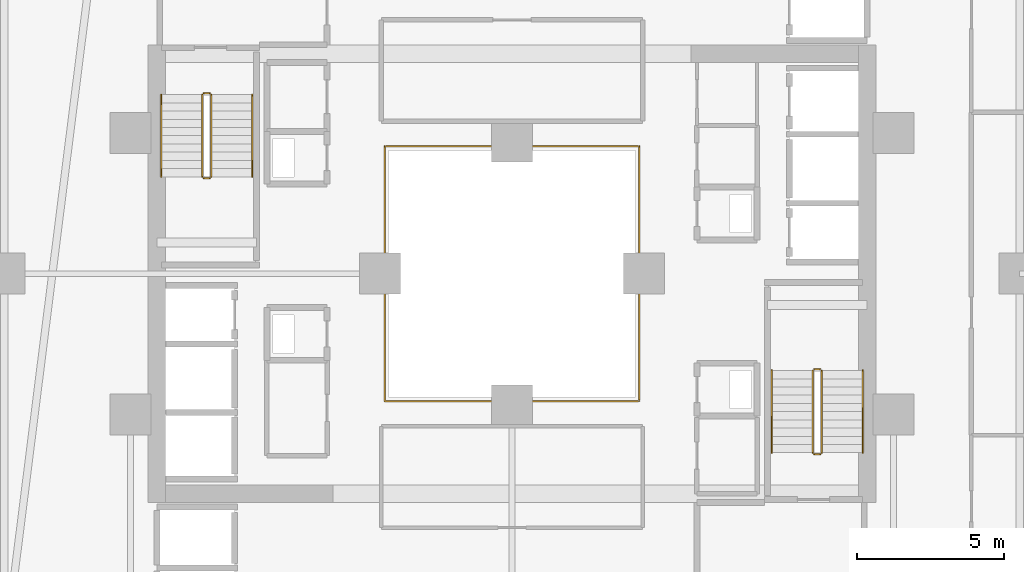
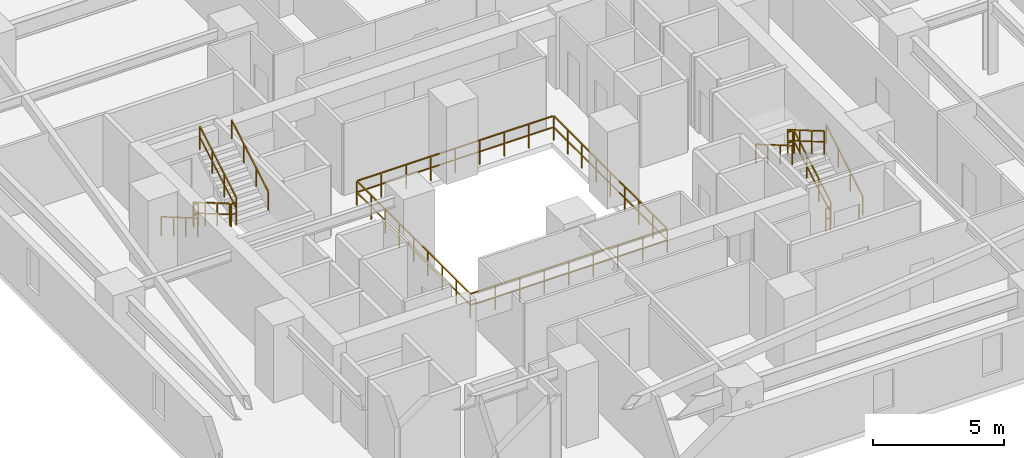
# One storey, part 34 of 35: 13 railings.
"""IFC4 building model written with IfcOpenShell, lengths in metres."""

from ifc_helpers import new_model, si_unit, direction, frame, origin, origin_2d, place, context, subcontext, project, spatial, rectangle, extrude, material, type_object, element, save


model = new_model("IFC4")

# Units and contexts
model_context = context("Model", 3, precision=1e-05, world=origin(), true_north=direction((0.0, 1.0)))
body_context = subcontext(model_context, "Body", "Model", "MODEL_VIEW")
ifc_project = project(units=[si_unit("LENGTHUNIT", "METRE"), si_unit("AREAUNIT", "SQUARE_METRE"), si_unit("VOLUMEUNIT", "CUBIC_METRE"), si_unit("PLANEANGLEUNIT", "RADIAN"), si_unit("MASSUNIT", "GRAM", prefix="KILO")], contexts=[model_context])

# Site, building, storey
site_placement = place(None, origin())
site = spatial("IfcSite", under=ifc_project, at=site_placement, CompositionType="ELEMENT")
building_placement = place(site_placement, origin())
building = spatial("IfcBuilding", under=site, at=building_placement, Name="Thornwick Lancets Civic Towers", CompositionType="ELEMENT")
storey_placement = place(building_placement, frame((0.0, 0.0, 64.5)))
storey = spatial("IfcBuildingStorey", under=building, at=storey_placement, Name="L16", CompositionType="ELEMENT", Elevation=64.5)

# Railings
ifc_material_1 = material(Name="Laminated glass and bronze steel S355", Category="steel")
railing_type_1 = type_object("IfcRailingType", Name="RAIL_ATRIUM_GUARD", PredefinedType="BALUSTRADE", material=ifc_material_1)
railing_1_placement = place(storey_placement, frame((84.159912109375, 22.659912109375, 0.0)))
element("IfcRailing", 1, at=railing_1_placement, inside=storey, type_object=railing_type_1, Name="L16 Tower B Central Atrium Guard Balustrade", PredefinedType="BALUSTRADE", context=body_context, shape_type="SweptSolid", body=[
    extrude(rectangle(XDim=0.048095703125, YDim=0.048095703125, at=origin_2d()), frame((0.0, 0.0, 1.1259765625), z_axis=(1.0, 0.0, 0.0), x_axis=(0.0, 1.0, 0.0)), (0.0, 0.0, 1.0), 8.64892578125),
    extrude(rectangle(XDim=0.0419921875, YDim=0.0419921875, at=origin_2d()), frame((0.03759765625, 0.0, 0.597900390625), z_axis=(1.0, 0.0, 0.0), x_axis=(0.0, 1.0, 0.0)), (0.0, 0.0, 1.0), 1.010009765625),
    extrude(rectangle(XDim=0.0419921875, YDim=0.0419921875, at=origin_2d()), frame((1.12255859375, 0.0, 0.597900390625), z_axis=(1.0, 0.0, 0.0), x_axis=(0.0, 1.0, 0.0)), (0.0, 0.0, 1.0), 1.010009765625),
    extrude(rectangle(XDim=0.0419921875, YDim=0.0419921875, at=origin_2d()), frame((2.20751953125, 0.0, 0.597900390625), z_axis=(1.0, 0.0, 0.0), x_axis=(0.0, 1.0, 0.0)), (0.0, 0.0, 1.0), 1.010009765625),
    extrude(rectangle(XDim=0.0419921875, YDim=0.0419921875, at=origin_2d()), frame((3.29248046875, 0.0, 0.597900390625), z_axis=(1.0, 0.0, 0.0), x_axis=(0.0, 1.0, 0.0)), (0.0, 0.0, 1.0), 1.010009765625),
    extrude(rectangle(XDim=0.0419921875, YDim=0.0419921875, at=origin_2d()), frame((4.377685546875, 0.0, 0.597900390625), z_axis=(1.0, 0.0, 0.0), x_axis=(0.0, 1.0, 0.0)), (0.0, 0.0, 1.0), 1.010009765625),
    extrude(rectangle(XDim=0.0419921875, YDim=0.0419921875, at=origin_2d()), frame((5.462646484375, 0.0, 0.597900390625), z_axis=(1.0, 0.0, 0.0), x_axis=(0.0, 1.0, 0.0)), (0.0, 0.0, 1.0), 1.010009765625),
    extrude(rectangle(XDim=0.0419921875, YDim=0.0419921875, at=origin_2d()), frame((6.547607421875, 0.0, 0.597900390625), z_axis=(1.0, 0.0, 0.0), x_axis=(0.0, 1.0, 0.0)), (0.0, 0.0, 1.0), 1.010009765625),
    extrude(rectangle(XDim=0.0419921875, YDim=0.0419921875, at=origin_2d()), frame((7.632568359375, 0.0, 0.597900390625), z_axis=(1.0, 0.0, 0.0), x_axis=(0.0, 1.0, 0.0)), (0.0, 0.0, 1.0), 1.010009765625),
    extrude(rectangle(XDim=0.048095703125, YDim=0.048095703125, at=origin_2d()), frame((8.68017578125, 0.03125, 1.1259765625), z_axis=(0.0, 1.0, 0.0), x_axis=(-1.0, 0.0, 0.0)), (0.0, 0.0, 1.0), 8.61767578125),
    extrude(rectangle(XDim=0.0419921875, YDim=0.0419921875, at=origin_2d()), frame((8.68017578125, 0.03759765625, 0.597900390625), z_axis=(0.0, 1.0, 0.0), x_axis=(-1.0, 0.0, 0.0)), (0.0, 0.0, 1.0), 1.010009765625),
    extrude(rectangle(XDim=0.0419921875, YDim=0.0419921875, at=origin_2d()), frame((8.68017578125, 1.12255859375, 0.597900390625), z_axis=(0.0, 1.0, 0.0), x_axis=(-1.0, 0.0, 0.0)), (0.0, 0.0, 1.0), 1.010009765625),
    extrude(rectangle(XDim=0.0419921875, YDim=0.0419921875, at=origin_2d()), frame((8.68017578125, 2.20751953125, 0.597900390625), z_axis=(0.0, 1.0, 0.0), x_axis=(-1.0, 0.0, 0.0)), (0.0, 0.0, 1.0), 1.010009765625),
    extrude(rectangle(XDim=0.0419921875, YDim=0.0419921875, at=origin_2d()), frame((8.68017578125, 3.29248046875, 0.597900390625), z_axis=(0.0, 1.0, 0.0), x_axis=(-1.0, 0.0, 0.0)), (0.0, 0.0, 1.0), 1.010009765625),
    extrude(rectangle(XDim=0.0419921875, YDim=0.0419921875, at=origin_2d()), frame((8.68017578125, 4.377685546875, 0.597900390625), z_axis=(0.0, 1.0, 0.0), x_axis=(-1.0, 0.0, 0.0)), (0.0, 0.0, 1.0), 1.010009765625),
    extrude(rectangle(XDim=0.0419921875, YDim=0.0419921875, at=origin_2d()), frame((8.68017578125, 5.462646484375, 0.597900390625), z_axis=(0.0, 1.0, 0.0), x_axis=(-1.0, 0.0, 0.0)), (0.0, 0.0, 1.0), 1.010009765625),
    extrude(rectangle(XDim=0.0419921875, YDim=0.0419921875, at=origin_2d()), frame((8.68017578125, 6.547607421875, 0.597900390625), z_axis=(0.0, 1.0, 0.0), x_axis=(-1.0, 0.0, 0.0)), (0.0, 0.0, 1.0), 1.010009765625),
    extrude(rectangle(XDim=0.0419921875, YDim=0.0419921875, at=origin_2d()), frame((8.68017578125, 7.632568359375, 0.597900390625), z_axis=(0.0, 1.0, 0.0), x_axis=(-1.0, 0.0, 0.0)), (0.0, 0.0, 1.0), 1.010009765625),
    extrude(rectangle(XDim=0.048095703125, YDim=0.048095703125, at=origin_2d()), frame((8.64892578125, 8.68017578125, 1.1259765625), z_axis=(-1.0, 0.0, 0.0), x_axis=(0.0, -1.0, 0.0)), (0.0, 0.0, 1.0), 8.61767578125),
    extrude(rectangle(XDim=0.0419921875, YDim=0.0419921875, at=origin_2d()), frame((8.642578125, 8.68017578125, 0.597900390625), z_axis=(-1.0, 0.0, 0.0), x_axis=(0.0, -1.0, 0.0)), (0.0, 0.0, 1.0), 1.010009765625),
    extrude(rectangle(XDim=0.0419921875, YDim=0.0419921875, at=origin_2d()), frame((7.5576171875, 8.68017578125, 0.597900390625), z_axis=(-1.0, 0.0, 0.0), x_axis=(0.0, -1.0, 0.0)), (0.0, 0.0, 1.0), 1.010009765625),
    extrude(rectangle(XDim=0.0419921875, YDim=0.0419921875, at=origin_2d()), frame((6.47265625, 8.68017578125, 0.597900390625), z_axis=(-1.0, 0.0, 0.0), x_axis=(0.0, -1.0, 0.0)), (0.0, 0.0, 1.0), 1.010009765625),
    extrude(rectangle(XDim=0.0419921875, YDim=0.0419921875, at=origin_2d()), frame((5.3876953125, 8.68017578125, 0.597900390625), z_axis=(-1.0, 0.0, 0.0), x_axis=(0.0, -1.0, 0.0)), (0.0, 0.0, 1.0), 1.010009765625),
    extrude(rectangle(XDim=0.0419921875, YDim=0.0419921875, at=origin_2d()), frame((4.302490234375, 8.68017578125, 0.597900390625), z_axis=(-1.0, 0.0, 0.0), x_axis=(0.0, -1.0, 0.0)), (0.0, 0.0, 1.0), 1.010009765625),
    extrude(rectangle(XDim=0.0419921875, YDim=0.0419921875, at=origin_2d()), frame((3.217529296875, 8.68017578125, 0.597900390625), z_axis=(-1.0, 0.0, 0.0), x_axis=(0.0, -1.0, 0.0)), (0.0, 0.0, 1.0), 1.010009765625),
    extrude(rectangle(XDim=0.0419921875, YDim=0.0419921875, at=origin_2d()), frame((2.132568359375, 8.68017578125, 0.597900390625), z_axis=(-1.0, 0.0, 0.0), x_axis=(0.0, -1.0, 0.0)), (0.0, 0.0, 1.0), 1.010009765625),
    extrude(rectangle(XDim=0.0419921875, YDim=0.0419921875, at=origin_2d()), frame((1.047607421875, 8.68017578125, 0.597900390625), z_axis=(-1.0, 0.0, 0.0), x_axis=(0.0, -1.0, 0.0)), (0.0, 0.0, 1.0), 1.010009765625),
    extrude(rectangle(XDim=0.048095703125, YDim=0.048095703125, at=origin_2d()), frame((0.0, 8.64892578125, 1.1259765625), z_axis=(0.0, -1.0, 0.0), x_axis=(1.0, 0.0, 0.0)), (0.0, 0.0, 1.0), 8.64892578125),
    extrude(rectangle(XDim=0.0419921875, YDim=0.0419921875, at=origin_2d()), frame((0.0, 8.642578125, 0.597900390625), z_axis=(0.0, -1.0, 0.0), x_axis=(1.0, 0.0, 0.0)), (0.0, 0.0, 1.0), 1.010009765625),
    extrude(rectangle(XDim=0.0419921875, YDim=0.0419921875, at=origin_2d()), frame((0.0, 7.5576171875, 0.597900390625), z_axis=(0.0, -1.0, 0.0), x_axis=(1.0, 0.0, 0.0)), (0.0, 0.0, 1.0), 1.010009765625),
    extrude(rectangle(XDim=0.0419921875, YDim=0.0419921875, at=origin_2d()), frame((0.0, 6.47265625, 0.597900390625), z_axis=(0.0, -1.0, 0.0), x_axis=(1.0, 0.0, 0.0)), (0.0, 0.0, 1.0), 1.010009765625),
    extrude(rectangle(XDim=0.0419921875, YDim=0.0419921875, at=origin_2d()), frame((0.0, 5.3876953125, 0.597900390625), z_axis=(0.0, -1.0, 0.0), x_axis=(1.0, 0.0, 0.0)), (0.0, 0.0, 1.0), 1.010009765625),
    extrude(rectangle(XDim=0.0419921875, YDim=0.0419921875, at=origin_2d()), frame((0.0, 4.302490234375, 0.597900390625), z_axis=(0.0, -1.0, 0.0), x_axis=(1.0, 0.0, 0.0)), (0.0, 0.0, 1.0), 1.010009765625),
    extrude(rectangle(XDim=0.0419921875, YDim=0.0419921875, at=origin_2d()), frame((0.0, 3.217529296875, 0.597900390625), z_axis=(0.0, -1.0, 0.0), x_axis=(1.0, 0.0, 0.0)), (0.0, 0.0, 1.0), 1.010009765625),
    extrude(rectangle(XDim=0.0419921875, YDim=0.0419921875, at=origin_2d()), frame((0.0, 2.132568359375, 0.597900390625), z_axis=(0.0, -1.0, 0.0), x_axis=(1.0, 0.0, 0.0)), (0.0, 0.0, 1.0), 1.010009765625),
    extrude(rectangle(XDim=0.0419921875, YDim=0.0419921875, at=origin_2d()), frame((0.0, 1.047607421875, 0.597900390625), z_axis=(0.0, -1.0, 0.0), x_axis=(1.0, 0.0, 0.0)), (0.0, 0.0, 1.0), 1.010009765625),
    extrude(rectangle(XDim=0.0419921875, YDim=0.0419921875, at=origin_2d()), origin(), (0.0, 0.0, 1.0), 1.095703125),
    extrude(rectangle(XDim=0.0419921875, YDim=0.0419921875, at=origin_2d()), frame((1.0849609375, 0.0, 0.0)), (0.0, 0.0, 1.0), 1.095703125),
    extrude(rectangle(XDim=0.0419921875, YDim=0.0419921875, at=origin_2d()), frame((2.169921875, 0.0, 0.0)), (0.0, 0.0, 1.0), 1.095703125),
    extrude(rectangle(XDim=0.0419921875, YDim=0.0419921875, at=origin_2d()), frame((3.255126953125, 0.0, 0.0)), (0.0, 0.0, 1.0), 1.095703125),
    extrude(rectangle(XDim=0.0419921875, YDim=0.0419921875, at=origin_2d()), frame((4.340087890625, 0.0, 0.0)), (0.0, 0.0, 1.0), 1.095703125),
    extrude(rectangle(XDim=0.0419921875, YDim=0.0419921875, at=origin_2d()), frame((5.425048828125, 0.0, 0.0)), (0.0, 0.0, 1.0), 1.095703125),
    extrude(rectangle(XDim=0.0419921875, YDim=0.0419921875, at=origin_2d()), frame((6.51025390625, 0.0, 0.0)), (0.0, 0.0, 1.0), 1.095703125),
    extrude(rectangle(XDim=0.0419921875, YDim=0.0419921875, at=origin_2d()), frame((7.59521484375, 0.0, 0.0)), (0.0, 0.0, 1.0), 1.095703125),
    extrude(rectangle(XDim=0.0419921875, YDim=0.0419921875, at=origin_2d()), frame((8.68017578125, 0.0, 0.0)), (0.0, 0.0, 1.0), 1.095703125),
    extrude(rectangle(XDim=0.0419921875, YDim=0.0419921875, at=origin_2d()), frame((8.68017578125, 1.0849609375, 0.0)), (0.0, 0.0, 1.0), 1.095703125),
    extrude(rectangle(XDim=0.0419921875, YDim=0.0419921875, at=origin_2d()), frame((8.68017578125, 2.169921875, 0.0)), (0.0, 0.0, 1.0), 1.095703125),
    extrude(rectangle(XDim=0.0419921875, YDim=0.0419921875, at=origin_2d()), frame((8.68017578125, 3.255126953125, 0.0)), (0.0, 0.0, 1.0), 1.095703125),
    extrude(rectangle(XDim=0.0419921875, YDim=0.0419921875, at=origin_2d()), frame((8.68017578125, 4.340087890625, 0.0)), (0.0, 0.0, 1.0), 1.095703125),
    extrude(rectangle(XDim=0.0419921875, YDim=0.0419921875, at=origin_2d()), frame((8.68017578125, 5.425048828125, 0.0)), (0.0, 0.0, 1.0), 1.095703125),
    extrude(rectangle(XDim=0.0419921875, YDim=0.0419921875, at=origin_2d()), frame((8.68017578125, 6.51025390625, 0.0)), (0.0, 0.0, 1.0), 1.095703125),
    extrude(rectangle(XDim=0.0419921875, YDim=0.0419921875, at=origin_2d()), frame((8.68017578125, 7.59521484375, 0.0)), (0.0, 0.0, 1.0), 1.095703125),
    extrude(rectangle(XDim=0.0419921875, YDim=0.0419921875, at=origin_2d()), frame((8.68017578125, 8.68017578125, 0.0)), (0.0, 0.0, 1.0), 1.095703125),
    extrude(rectangle(XDim=0.0419921875, YDim=0.0419921875, at=origin_2d()), frame((7.59521484375, 8.68017578125, 0.0)), (0.0, 0.0, 1.0), 1.095703125),
    extrude(rectangle(XDim=0.0419921875, YDim=0.0419921875, at=origin_2d()), frame((6.51025390625, 8.68017578125, 0.0)), (0.0, 0.0, 1.0), 1.095703125),
    extrude(rectangle(XDim=0.0419921875, YDim=0.0419921875, at=origin_2d()), frame((5.425048828125, 8.68017578125, 0.0)), (0.0, 0.0, 1.0), 1.095703125),
    extrude(rectangle(XDim=0.0419921875, YDim=0.0419921875, at=origin_2d()), frame((4.340087890625, 8.68017578125, 0.0)), (0.0, 0.0, 1.0), 1.095703125),
    extrude(rectangle(XDim=0.0419921875, YDim=0.0419921875, at=origin_2d()), frame((3.255126953125, 8.68017578125, 0.0)), (0.0, 0.0, 1.0), 1.095703125),
    extrude(rectangle(XDim=0.0419921875, YDim=0.0419921875, at=origin_2d()), frame((2.169921875, 8.68017578125, 0.0)), (0.0, 0.0, 1.0), 1.095703125),
    extrude(rectangle(XDim=0.0419921875, YDim=0.0419921875, at=origin_2d()), frame((1.0849609375, 8.68017578125, 0.0)), (0.0, 0.0, 1.0), 1.095703125),
    extrude(rectangle(XDim=0.0419921875, YDim=0.0419921875, at=origin_2d()), frame((0.0, 8.68017578125, 0.0)), (0.0, 0.0, 1.0), 1.095703125),
    extrude(rectangle(XDim=0.0419921875, YDim=0.0419921875, at=origin_2d()), frame((0.0, 7.59521484375, 0.0)), (0.0, 0.0, 1.0), 1.095703125),
    extrude(rectangle(XDim=0.0419921875, YDim=0.0419921875, at=origin_2d()), frame((0.0, 6.51025390625, 0.0)), (0.0, 0.0, 1.0), 1.095703125),
    extrude(rectangle(XDim=0.0419921875, YDim=0.0419921875, at=origin_2d()), frame((0.0, 5.425048828125, 0.0)), (0.0, 0.0, 1.0), 1.095703125),
    extrude(rectangle(XDim=0.0419921875, YDim=0.0419921875, at=origin_2d()), frame((0.0, 4.340087890625, 0.0)), (0.0, 0.0, 1.0), 1.095703125),
    extrude(rectangle(XDim=0.0419921875, YDim=0.0419921875, at=origin_2d()), frame((0.0, 3.255126953125, 0.0)), (0.0, 0.0, 1.0), 1.095703125),
    extrude(rectangle(XDim=0.0419921875, YDim=0.0419921875, at=origin_2d()), frame((0.0, 2.169921875, 0.0)), (0.0, 0.0, 1.0), 1.095703125),
    extrude(rectangle(XDim=0.0419921875, YDim=0.0419921875, at=origin_2d()), frame((0.0, 1.0849609375, 0.0)), (0.0, 0.0, 1.0), 1.095703125),
])
ifc_material_2 = material(Name="Brushed stainless steel S355", Category="steel")
railing_type_2 = type_object("IfcRailingType", Name="RAIL_HANDRAIL", PredefinedType="HANDRAIL", material=ifc_material_2)
railing_2_placement = place(storey_placement, frame((100.449951171875, 20.89990234375, 0.16357421875)))
element("IfcRailing", 2, at=railing_2_placement, inside=storey, type_object=railing_type_2, Name="L16 ST-B1 stair handrail 1", PredefinedType="HANDRAIL", context=body_context, shape_type="SweptSolid", body=[
    extrude(rectangle(XDim=0.048095703125, YDim=0.048095703125, at=origin_2d()), frame((0.0, 0.0, 0.8857421875), z_axis=(0.0, 0.863360870873, 0.504586966384), x_axis=(-1.0, 0.0, 0.0)), (0.0, 0.0, 1.0), 3.2431640625),
    extrude(rectangle(XDim=0.0419921875, YDim=0.0419921875, at=origin_2d()), origin(), (0.0, 0.0, 1.0), 0.855712890625),
    extrude(rectangle(XDim=0.0419921875, YDim=0.0419921875, at=origin_2d()), frame((0.0, 0.933349609375, 0.54541015625)), (0.0, 0.0, 1.0), 0.855712890625),
    extrude(rectangle(XDim=0.0419921875, YDim=0.0419921875, at=origin_2d()), frame((0.0, 1.86669921875, 1.091064453125)), (0.0, 0.0, 1.0), 0.855712890625),
    extrude(rectangle(XDim=0.0419921875, YDim=0.0419921875, at=origin_2d()), frame((0.0, 2.800048828125, 1.636474609375)), (0.0, 0.0, 1.0), 0.855712890625),
])
for number, where, name in (
    (3, (97.35009765625, 23.699951171875, 1.963623046875), "L16 ST-B1 stair handrail 2"),
    (4, (76.550048828125, 33.10009765625, 0.16357421875), "L16 ST-B2 stair handrail 1"),
):
    element("IfcRailing", number, at=place(storey_placement, frame(where)), inside=storey, type_object=railing_type_2, Name=name, PredefinedType="HANDRAIL", context=body_context, shape_type="SweptSolid", body=[
        extrude(rectangle(XDim=0.048095703125, YDim=0.048095703125, at=origin_2d()), frame((0.0, 0.0, 0.8857421875), z_axis=(0.0, -0.863360870873, 0.504586966384), x_axis=(1.0, 0.0, 0.0)), (0.0, 0.0, 1.0), 3.2431640625),
        extrude(rectangle(XDim=0.0419921875, YDim=0.0419921875, at=origin_2d()), origin(), (0.0, 0.0, 1.0), 0.855712890625),
        extrude(rectangle(XDim=0.0419921875, YDim=0.0419921875, at=origin_2d()), frame((0.0, -0.933349609375, 0.54541015625)), (0.0, 0.0, 1.0), 0.855712890625),
        extrude(rectangle(XDim=0.0419921875, YDim=0.0419921875, at=origin_2d()), frame((0.0, -1.86669921875, 1.091064453125)), (0.0, 0.0, 1.0), 0.855712890625),
        extrude(rectangle(XDim=0.0419921875, YDim=0.0419921875, at=origin_2d()), frame((0.0, -2.800048828125, 1.636474609375)), (0.0, 0.0, 1.0), 0.855712890625),
    ])
railing_3_placement = place(storey_placement, frame((79.64990234375, 30.300048828125, 1.963623046875)))
element("IfcRailing", 5, at=railing_3_placement, inside=storey, type_object=railing_type_2, Name="L16 ST-B2 stair handrail 2", PredefinedType="HANDRAIL", context=body_context, shape_type="SweptSolid", body=[
    extrude(rectangle(XDim=0.048095703125, YDim=0.048095703125, at=origin_2d()), frame((0.0, 0.0, 0.8857421875), z_axis=(0.0, 0.863360870873, 0.504586966384), x_axis=(-1.0, 0.0, 0.0)), (0.0, 0.0, 1.0), 3.2431640625),
    extrude(rectangle(XDim=0.0419921875, YDim=0.0419921875, at=origin_2d()), origin(), (0.0, 0.0, 1.0), 0.855712890625),
    extrude(rectangle(XDim=0.0419921875, YDim=0.0419921875, at=origin_2d()), frame((0.0, 0.933349609375, 0.54541015625)), (0.0, 0.0, 1.0), 0.855712890625),
    extrude(rectangle(XDim=0.0419921875, YDim=0.0419921875, at=origin_2d()), frame((0.0, 1.86669921875, 1.091064453125)), (0.0, 0.0, 1.0), 0.855712890625),
    extrude(rectangle(XDim=0.0419921875, YDim=0.0419921875, at=origin_2d()), frame((0.0, 2.800048828125, 1.636474609375)), (0.0, 0.0, 1.0), 0.855712890625),
])
ifc_material_3 = material(Name="Steel S355JR", Category="steel")
railing_type_3 = type_object("IfcRailingType", Name="RAIL_STAIR_GUARD", PredefinedType="GUARDRAIL", material=ifc_material_3)
railing_4_placement = place(storey_placement, frame((99.050048828125, 20.89990234375, 0.16357421875)))
element("IfcRailing", 6, at=railing_4_placement, inside=storey, type_object=railing_type_3, Name="L16 ST-B1 stair guard 1", PredefinedType="GUARDRAIL", context=body_context, shape_type="SweptSolid", body=[
    extrude(rectangle(XDim=0.048095703125, YDim=0.048095703125, at=origin_2d()), frame((0.0, 0.0, 1.076171875), z_axis=(0.0, 0.863360870873, 0.504586966384), x_axis=(-1.0, 0.0, 0.0)), (0.0, 0.0, 1.0), 3.2431640625),
    extrude(rectangle(XDim=0.0419921875, YDim=0.0419921875, at=origin_2d()), frame((0.0, 0.032470703125, 0.591064453125), z_axis=(0.0, 0.863360870873, 0.504586966384), x_axis=(-1.0, 0.0, 0.0)), (0.0, 0.0, 1.0), 1.006103515625),
    extrude(rectangle(XDim=0.0419921875, YDim=0.0419921875, at=origin_2d()), frame((0.0, 0.9658203125, 1.136474609375), z_axis=(0.0, 0.863360870873, 0.504586966384), x_axis=(-1.0, 0.0, 0.0)), (0.0, 0.0, 1.0), 1.006103515625),
    extrude(rectangle(XDim=0.0419921875, YDim=0.0419921875, at=origin_2d()), frame((0.0, 1.899169921875, 1.681884765625), z_axis=(0.0, 0.863360870873, 0.504586966384), x_axis=(-1.0, 0.0, 0.0)), (0.0, 0.0, 1.0), 1.006103515625),
    extrude(rectangle(XDim=0.0419921875, YDim=0.0419921875, at=origin_2d()), origin(), (0.0, 0.0, 1.0), 1.0458984375),
    extrude(rectangle(XDim=0.0419921875, YDim=0.0419921875, at=origin_2d()), frame((0.0, 0.933349609375, 0.54541015625)), (0.0, 0.0, 1.0), 1.0458984375),
    extrude(rectangle(XDim=0.0419921875, YDim=0.0419921875, at=origin_2d()), frame((0.0, 1.86669921875, 1.091064453125)), (0.0, 0.0, 1.0), 1.0458984375),
    extrude(rectangle(XDim=0.0419921875, YDim=0.0419921875, at=origin_2d()), frame((0.0, 2.800048828125, 1.636474609375)), (0.0, 0.0, 1.0), 1.0458984375),
])
railing_5_placement = place(storey_placement, frame((99.0, 23.75, 1.800048828125)))
element("IfcRailing", 7, at=railing_5_placement, inside=storey, type_object=railing_type_3, Name="L16 ST-B1 stair guard 2", PredefinedType="GUARDRAIL", context=body_context, shape_type="SweptSolid", body=[
    extrude(rectangle(XDim=0.048095703125, YDim=0.048095703125, at=origin_2d()), frame((0.0, 0.0, 1.076171875), z_axis=(-1.0, 0.0, 0.0), x_axis=(0.0, -1.0, 0.0)), (0.0, 0.0, 1.0), 0.199951171875),
    extrude(rectangle(XDim=0.0419921875, YDim=0.0419921875, at=origin_2d()), frame((-0.03759765625, 0.0, 0.572021484375), z_axis=(-1.0, 0.0, 0.0), x_axis=(0.0, -1.0, 0.0)), (0.0, 0.0, 1.0), 0.125),
    extrude(rectangle(XDim=0.0419921875, YDim=0.0419921875, at=origin_2d()), origin(), (0.0, 0.0, 1.0), 1.0458984375),
    extrude(rectangle(XDim=0.0419921875, YDim=0.0419921875, at=origin_2d()), frame((-0.199951171875, 0.0, 0.0)), (0.0, 0.0, 1.0), 1.0458984375),
])
railing_6_placement = place(storey_placement, frame((98.75, 23.699951171875, 1.963623046875)))
element("IfcRailing", 8, at=railing_6_placement, inside=storey, type_object=railing_type_3, Name="L16 ST-B1 stair guard 3", PredefinedType="GUARDRAIL", context=body_context, shape_type="SweptSolid", body=[
    extrude(rectangle(XDim=0.048095703125, YDim=0.048095703125, at=origin_2d()), frame((0.0, 0.0, 1.076171875), z_axis=(0.0, -0.863360870873, 0.504586966384), x_axis=(1.0, 0.0, 0.0)), (0.0, 0.0, 1.0), 3.2431640625),
    extrude(rectangle(XDim=0.0419921875, YDim=0.0419921875, at=origin_2d()), frame((0.0, -0.032470703125, 0.591064453125), z_axis=(0.0, -0.863360870873, 0.504586966384), x_axis=(1.0, 0.0, 0.0)), (0.0, 0.0, 1.0), 1.006103515625),
    extrude(rectangle(XDim=0.0419921875, YDim=0.0419921875, at=origin_2d()), frame((0.0, -0.9658203125, 1.136474609375), z_axis=(0.0, -0.863360870873, 0.504586966384), x_axis=(1.0, 0.0, 0.0)), (0.0, 0.0, 1.0), 1.006103515625),
    extrude(rectangle(XDim=0.0419921875, YDim=0.0419921875, at=origin_2d()), frame((0.0, -1.899169921875, 1.681884765625), z_axis=(0.0, -0.863360870873, 0.504586966384), x_axis=(1.0, 0.0, 0.0)), (0.0, 0.0, 1.0), 1.006103515625),
    extrude(rectangle(XDim=0.0419921875, YDim=0.0419921875, at=origin_2d()), origin(), (0.0, 0.0, 1.0), 1.0458984375),
    extrude(rectangle(XDim=0.0419921875, YDim=0.0419921875, at=origin_2d()), frame((0.0, -0.933349609375, 0.54541015625)), (0.0, 0.0, 1.0), 1.0458984375),
    extrude(rectangle(XDim=0.0419921875, YDim=0.0419921875, at=origin_2d()), frame((0.0, -1.86669921875, 1.091064453125)), (0.0, 0.0, 1.0), 1.0458984375),
    extrude(rectangle(XDim=0.0419921875, YDim=0.0419921875, at=origin_2d()), frame((0.0, -2.800048828125, 1.636474609375)), (0.0, 0.0, 1.0), 1.0458984375),
])
railing_7_placement = place(storey_placement, frame((99.0, 20.85009765625, 0.0)))
element("IfcRailing", 9, at=railing_7_placement, inside=storey, type_object=railing_type_3, Name="L16 ST-B1 stair guard 4", PredefinedType="GUARDRAIL", context=body_context, shape_type="SweptSolid", body=[
    extrude(rectangle(XDim=0.048095703125, YDim=0.048095703125, at=origin_2d()), frame((0.0, 0.0, 1.076171875), z_axis=(-1.0, 0.0, 0.0), x_axis=(0.0, -1.0, 0.0)), (0.0, 0.0, 1.0), 0.199951171875),
    extrude(rectangle(XDim=0.0419921875, YDim=0.0419921875, at=origin_2d()), frame((-0.03759765625, 0.0, 0.572021484375), z_axis=(-1.0, 0.0, 0.0), x_axis=(0.0, -1.0, 0.0)), (0.0, 0.0, 1.0), 0.125),
    extrude(rectangle(XDim=0.0419921875, YDim=0.0419921875, at=origin_2d()), origin(), (0.0, 0.0, 1.0), 1.0458984375),
    extrude(rectangle(XDim=0.0419921875, YDim=0.0419921875, at=origin_2d()), frame((-0.199951171875, 0.0, 0.0)), (0.0, 0.0, 1.0), 1.0458984375),
])
railing_8_placement = place(storey_placement, frame((77.949951171875, 33.10009765625, 0.16357421875)))
element("IfcRailing", 10, at=railing_8_placement, inside=storey, type_object=railing_type_3, Name="L16 ST-B2 stair guard 1", PredefinedType="GUARDRAIL", context=body_context, shape_type="SweptSolid", body=[
    extrude(rectangle(XDim=0.048095703125, YDim=0.048095703125, at=origin_2d()), frame((0.0, 0.0, 1.076171875), z_axis=(0.0, -0.863360870873, 0.504586966384), x_axis=(1.0, 0.0, 0.0)), (0.0, 0.0, 1.0), 3.2431640625),
    extrude(rectangle(XDim=0.0419921875, YDim=0.0419921875, at=origin_2d()), frame((0.0, -0.032470703125, 0.591064453125), z_axis=(0.0, -0.863360870873, 0.504586966384), x_axis=(1.0, 0.0, 0.0)), (0.0, 0.0, 1.0), 1.006103515625),
    extrude(rectangle(XDim=0.0419921875, YDim=0.0419921875, at=origin_2d()), frame((0.0, -0.9658203125, 1.136474609375), z_axis=(0.0, -0.863360870873, 0.504586966384), x_axis=(1.0, 0.0, 0.0)), (0.0, 0.0, 1.0), 1.006103515625),
    extrude(rectangle(XDim=0.0419921875, YDim=0.0419921875, at=origin_2d()), frame((0.0, -1.899169921875, 1.681884765625), z_axis=(0.0, -0.863360870873, 0.504586966384), x_axis=(1.0, 0.0, 0.0)), (0.0, 0.0, 1.0), 1.006103515625),
    extrude(rectangle(XDim=0.0419921875, YDim=0.0419921875, at=origin_2d()), origin(), (0.0, 0.0, 1.0), 1.0458984375),
    extrude(rectangle(XDim=0.0419921875, YDim=0.0419921875, at=origin_2d()), frame((0.0, -0.933349609375, 0.54541015625)), (0.0, 0.0, 1.0), 1.0458984375),
    extrude(rectangle(XDim=0.0419921875, YDim=0.0419921875, at=origin_2d()), frame((0.0, -1.86669921875, 1.091064453125)), (0.0, 0.0, 1.0), 1.0458984375),
    extrude(rectangle(XDim=0.0419921875, YDim=0.0419921875, at=origin_2d()), frame((0.0, -2.800048828125, 1.636474609375)), (0.0, 0.0, 1.0), 1.0458984375),
])
railing_9_placement = place(storey_placement, frame((78.0, 30.25, 1.800048828125)))
element("IfcRailing", 11, at=railing_9_placement, inside=storey, type_object=railing_type_3, Name="L16 ST-B2 stair guard 2", PredefinedType="GUARDRAIL", context=body_context, shape_type="SweptSolid", body=[
    extrude(rectangle(XDim=0.048095703125, YDim=0.048095703125, at=origin_2d()), frame((0.0, 0.0, 1.076171875), z_axis=(1.0, 0.0, 0.0), x_axis=(0.0, 1.0, 0.0)), (0.0, 0.0, 1.0), 0.199951171875),
    extrude(rectangle(XDim=0.0419921875, YDim=0.0419921875, at=origin_2d()), frame((0.03759765625, 0.0, 0.572021484375), z_axis=(1.0, 0.0, 0.0), x_axis=(0.0, 1.0, 0.0)), (0.0, 0.0, 1.0), 0.125),
    extrude(rectangle(XDim=0.0419921875, YDim=0.0419921875, at=origin_2d()), origin(), (0.0, 0.0, 1.0), 1.0458984375),
    extrude(rectangle(XDim=0.0419921875, YDim=0.0419921875, at=origin_2d()), frame((0.199951171875, 0.0, 0.0)), (0.0, 0.0, 1.0), 1.0458984375),
])
railing_10_placement = place(storey_placement, frame((78.25, 30.300048828125, 1.963623046875)))
element("IfcRailing", 12, at=railing_10_placement, inside=storey, type_object=railing_type_3, Name="L16 ST-B2 stair guard 3", PredefinedType="GUARDRAIL", context=body_context, shape_type="SweptSolid", body=[
    extrude(rectangle(XDim=0.048095703125, YDim=0.048095703125, at=origin_2d()), frame((0.0, 0.0, 1.076171875), z_axis=(0.0, 0.863360870873, 0.504586966384), x_axis=(-1.0, 0.0, 0.0)), (0.0, 0.0, 1.0), 3.2431640625),
    extrude(rectangle(XDim=0.0419921875, YDim=0.0419921875, at=origin_2d()), frame((0.0, 0.032470703125, 0.591064453125), z_axis=(0.0, 0.863360870873, 0.504586966384), x_axis=(-1.0, 0.0, 0.0)), (0.0, 0.0, 1.0), 1.006103515625),
    extrude(rectangle(XDim=0.0419921875, YDim=0.0419921875, at=origin_2d()), frame((0.0, 0.9658203125, 1.136474609375), z_axis=(0.0, 0.863360870873, 0.504586966384), x_axis=(-1.0, 0.0, 0.0)), (0.0, 0.0, 1.0), 1.006103515625),
    extrude(rectangle(XDim=0.0419921875, YDim=0.0419921875, at=origin_2d()), frame((0.0, 1.899169921875, 1.681884765625), z_axis=(0.0, 0.863360870873, 0.504586966384), x_axis=(-1.0, 0.0, 0.0)), (0.0, 0.0, 1.0), 1.006103515625),
    extrude(rectangle(XDim=0.0419921875, YDim=0.0419921875, at=origin_2d()), origin(), (0.0, 0.0, 1.0), 1.0458984375),
    extrude(rectangle(XDim=0.0419921875, YDim=0.0419921875, at=origin_2d()), frame((0.0, 0.933349609375, 0.54541015625)), (0.0, 0.0, 1.0), 1.0458984375),
    extrude(rectangle(XDim=0.0419921875, YDim=0.0419921875, at=origin_2d()), frame((0.0, 1.86669921875, 1.091064453125)), (0.0, 0.0, 1.0), 1.0458984375),
    extrude(rectangle(XDim=0.0419921875, YDim=0.0419921875, at=origin_2d()), frame((0.0, 2.800048828125, 1.636474609375)), (0.0, 0.0, 1.0), 1.0458984375),
])
railing_11_placement = place(storey_placement, frame((78.0, 33.14990234375, 0.0)))
element("IfcRailing", 13, at=railing_11_placement, inside=storey, type_object=railing_type_3, Name="L16 ST-B2 stair guard 4", PredefinedType="GUARDRAIL", context=body_context, shape_type="SweptSolid", body=[
    extrude(rectangle(XDim=0.048095703125, YDim=0.048095703125, at=origin_2d()), frame((0.0, 0.0, 1.076171875), z_axis=(1.0, 0.0, 0.0), x_axis=(0.0, 1.0, 0.0)), (0.0, 0.0, 1.0), 0.199951171875),
    extrude(rectangle(XDim=0.0419921875, YDim=0.0419921875, at=origin_2d()), frame((0.03759765625, 0.0, 0.572021484375), z_axis=(1.0, 0.0, 0.0), x_axis=(0.0, 1.0, 0.0)), (0.0, 0.0, 1.0), 0.125),
    extrude(rectangle(XDim=0.0419921875, YDim=0.0419921875, at=origin_2d()), origin(), (0.0, 0.0, 1.0), 1.0458984375),
    extrude(rectangle(XDim=0.0419921875, YDim=0.0419921875, at=origin_2d()), frame((0.199951171875, 0.0, 0.0)), (0.0, 0.0, 1.0), 1.0458984375),
])

save(model, "model.ifc")
